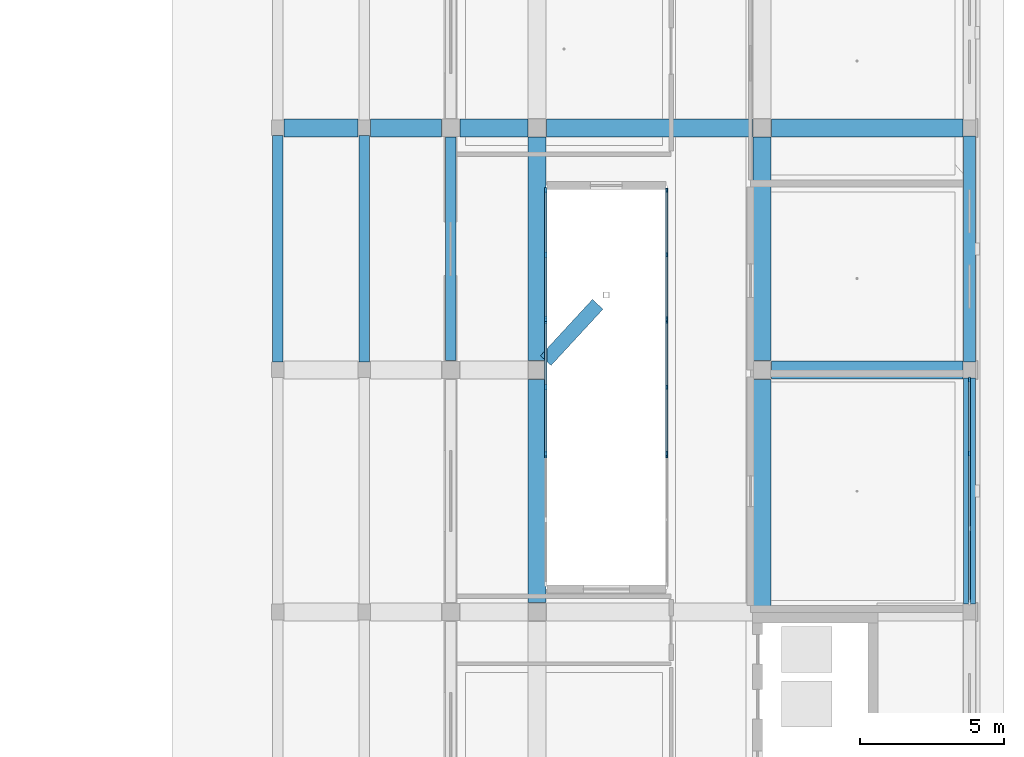
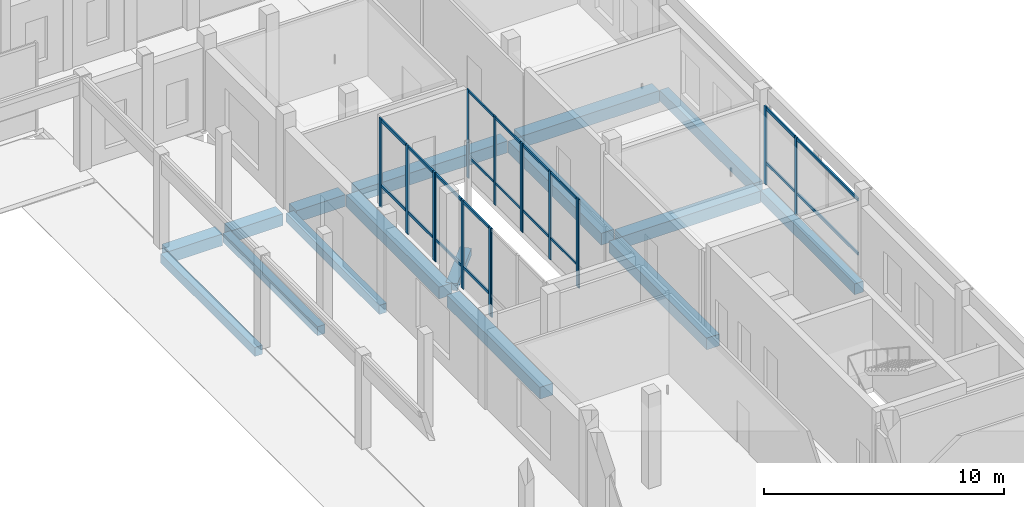
# One storey, part 36 of 88: 26 members, 16 beams, 7 elements without a shape of their own.
"""IFC4 building model written with IfcOpenShell, lengths in metres."""

from ifc_helpers import new_model, si_unit, derived_unit, direction, frame, origin, origin_2d, place, context, subcontext, project, spatial, rectangle, extrude, material, material_profile, profile_set, type_object, element, aggregate, save


model = new_model("IFC4")

# Units and contexts
model_context = context("Model", 3, precision=1e-05, world=origin(), true_north=direction((0.0, 1.0)))
body_context = subcontext(model_context, "Body", "Model", "MODEL_VIEW")
ifc_project = project(units=[si_unit("LENGTHUNIT", "METRE"), si_unit("AREAUNIT", "SQUARE_METRE"), si_unit("VOLUMEUNIT", "CUBIC_METRE"), si_unit("PLANEANGLEUNIT", "RADIAN"), si_unit("MASSUNIT", "GRAM", prefix="KILO"), derived_unit("THERMALTRANSMITTANCEUNIT", [(si_unit("POWERUNIT", "WATT"), 1), (si_unit("LENGTHUNIT", "METRE"), -2), (si_unit("THERMODYNAMICTEMPERATUREUNIT", "KELVIN"), -1)])], contexts=[model_context])

# Site, building, storey
site_placement = place(None, origin())
site = spatial("IfcSite", under=ifc_project, at=site_placement, CompositionType="ELEMENT")
building_placement = place(site_placement, origin())
building = spatial("IfcBuilding", under=site, at=building_placement, Name="Braskholm Square Health Centre", CompositionType="ELEMENT")
storey_placement = place(building_placement, origin())
storey = spatial("IfcBuildingStorey", under=building, at=storey_placement, Name="L01", CompositionType="ELEMENT", Elevation=0.0)

# Curtain wall, member
ifc_material_1 = material(Name="Low-E triple insulating glass (VLT 0.64)", Category="glass")
curtain_wall_type_1 = type_object("IfcCurtainWallType", Name="UnitisedCurtainWall4800x4400", PredefinedType="NOTDEFINED", material=ifc_material_1)
curtain_wall_1_placement = place(storey_placement, origin())
curtain_wall_1 = element("IfcCurtainWall", 1, at=curtain_wall_1_placement, inside=storey, type_object=curtain_wall_type_1, Name="EC2 Court E unitised curtain wall CW-L01-0352", PredefinedType="NOTDEFINED")
ifc_material_2 = material(Name="Architectural bronze anodised aluminium", Category="aluminium")
ifc_material_profile_1 = material_profile(ifc_material_2, rectangle(XDim=0.06494140625, YDim=0.14990234375, at=origin_2d()), Name="ALU-65X150")
ifc_profile_set_1 = profile_set([ifc_material_profile_1], Name="Architectural bronze anodised aluminium")
member_type_1 = type_object("IfcMemberType", Name="CurtainWallMullion65x150", PredefinedType="MULLION", material=ifc_profile_set_1)
member_1_placement = place(storey_placement, frame((153.300048828125, 69.23486328125, 0.0), z_axis=(0.0, 0.0, 1.0), x_axis=(1.0, 0.0, 0.0)))
member_1 = element("IfcMember", 2, at=member_1_placement, type_object=member_type_1, Name="CW-L01-0352 vertical mullion 1", PredefinedType="MULLION", context=body_context, shape_type="SweptSolid", body=[
    extrude(rectangle(XDim=0.06494140625, YDim=0.14990234375, at=origin_2d()), origin(), (0.0, 0.0, 1.0), 4.5),
])
aggregate(curtain_wall_1, [member_1])

# Curtain wall, members
curtain_wall_2_placement = place(storey_placement, origin())
curtain_wall_2 = element("IfcCurtainWall", 3, at=curtain_wall_2_placement, inside=storey, type_object=curtain_wall_type_1, Name="EC2 Court E unitised curtain wall CW-L01-0354", PredefinedType="NOTDEFINED")
member_2_placement = place(storey_placement, frame((153.300048828125, 73.900146484375, 0.0), z_axis=(0.0, 0.0, 1.0), x_axis=(1.0, 0.0, 0.0)))
member_2 = element("IfcMember", 4, at=member_2_placement, type_object=member_type_1, Name="CW-L01-0354 vertical mullion 1", PredefinedType="MULLION", context=body_context, shape_type="SweptSolid", body=[
    extrude(rectangle(XDim=0.06494140625, YDim=0.14990234375, at=origin_2d()), origin(), (0.0, 0.0, 1.0), 4.5),
])
member_3_placement = place(storey_placement, frame((153.300048828125, 71.60009765625, 0.0), z_axis=(0.0, 0.0, 1.0), x_axis=(1.0, 0.0, 0.0)))
member_3 = element("IfcMember", 5, at=member_3_placement, type_object=member_type_1, Name="CW-L01-0354 vertical mullion 2", PredefinedType="MULLION", context=body_context, shape_type="SweptSolid", body=[
    extrude(rectangle(XDim=0.06494140625, YDim=0.14990234375, at=origin_2d()), origin(), (0.0, 0.0, 1.0), 4.5),
])
member_4_placement = place(storey_placement, frame((153.300048828125, 69.2998046875, 0.0), z_axis=(0.0, 0.0, 1.0), x_axis=(1.0, 0.0, 0.0)))
member_4 = element("IfcMember", 6, at=member_4_placement, type_object=member_type_1, Name="CW-L01-0354 vertical mullion 3", PredefinedType="MULLION", context=body_context, shape_type="SweptSolid", body=[
    extrude(rectangle(XDim=0.06494140625, YDim=0.14990234375, at=origin_2d()), origin(), (0.0, 0.0, 1.0), 4.5),
])

curtain_wall_3_placement = place(storey_placement, origin())
curtain_wall_3 = element("IfcCurtainWall", 7, at=curtain_wall_3_placement, inside=storey, type_object=curtain_wall_type_1, Name="EC2 Court E unitised curtain wall CW-L01-0356", PredefinedType="NOTDEFINED")
member_5_placement = place(storey_placement, frame((153.300048828125, 78.432861328125, 0.0), z_axis=(0.0, 0.0, 1.0), x_axis=(1.0, 0.0, 0.0)))
member_5 = element("IfcMember", 8, at=member_5_placement, type_object=member_type_1, Name="CW-L01-0356 vertical mullion 1", PredefinedType="MULLION", context=body_context, shape_type="SweptSolid", body=[
    extrude(rectangle(XDim=0.06494140625, YDim=0.14990234375, at=origin_2d()), origin(), (0.0, 0.0, 1.0), 4.5),
])
member_6_placement = place(storey_placement, frame((153.300048828125, 76.198974609375, 0.0), z_axis=(0.0, 0.0, 1.0), x_axis=(1.0, 0.0, 0.0)))
member_6 = element("IfcMember", 9, at=member_6_placement, type_object=member_type_1, Name="CW-L01-0356 vertical mullion 2", PredefinedType="MULLION", context=body_context, shape_type="SweptSolid", body=[
    extrude(rectangle(XDim=0.06494140625, YDim=0.14990234375, at=origin_2d()), origin(), (0.0, 0.0, 1.0), 4.5),
])
member_7_placement = place(storey_placement, frame((153.300048828125, 73.965087890625, 0.0), z_axis=(0.0, 0.0, 1.0), x_axis=(1.0, 0.0, 0.0)))
member_7 = element("IfcMember", 10, at=member_7_placement, type_object=member_type_1, Name="CW-L01-0356 vertical mullion 3", PredefinedType="MULLION", context=body_context, shape_type="SweptSolid", body=[
    extrude(rectangle(XDim=0.06494140625, YDim=0.14990234375, at=origin_2d()), origin(), (0.0, 0.0, 1.0), 4.5),
])

curtain_wall_type_2 = type_object("IfcCurtainWallType", Name="UnitisedCurtainWall6200x4100", PredefinedType="NOTDEFINED", material=ifc_material_1)
curtain_wall_4_placement = place(storey_placement, origin())
curtain_wall_4 = element("IfcCurtainWall", 11, at=curtain_wall_4_placement, inside=storey, type_object=curtain_wall_type_2, Name="East Storefront unitised curtain wall CW-L01-0049", PredefinedType="NOTDEFINED")
ifc_material_profile_2 = material_profile(ifc_material_2, rectangle(XDim=0.074951171875, YDim=0.179931640625, at=origin_2d()), Name="ALU-75X180")
ifc_profile_set_2 = profile_set([ifc_material_profile_2], Name="Architectural bronze anodised aluminium")
member_type_2 = type_object("IfcMemberType", Name="CurtainWallMullion75x180", PredefinedType="MULLION", material=ifc_profile_set_2)
member_8_placement = place(storey_placement, frame((163.800048828125, 69.30322265625, 0.0), z_axis=(0.0, 0.0, 1.0), x_axis=(1.0, 0.0, 0.0)))
member_8 = element("IfcMember", 12, at=member_8_placement, type_object=member_type_2, Name="CW-L01-0049 vertical mullion 3", PredefinedType="MULLION", context=body_context, shape_type="SweptSolid", body=[
    extrude(rectangle(XDim=0.074951171875, YDim=0.179931640625, at=origin_2d()), origin(), (0.0, 0.0, 1.0), 3.949951171875),
])
member_9_placement = place(storey_placement, frame((163.800048828125, 71.863037109375, 0.0), z_axis=(0.0, 0.0, 1.0), x_axis=(1.0, 0.0, 0.0)))
member_9 = element("IfcMember", 13, at=member_9_placement, type_object=member_type_2, Name="CW-L01-0049 vertical mullion 4", PredefinedType="MULLION", context=body_context, shape_type="SweptSolid", body=[
    extrude(rectangle(XDim=0.074951171875, YDim=0.179931640625, at=origin_2d()), origin(), (0.0, 0.0, 1.0), 3.949951171875),
])

# Curtain wall, member
curtain_wall_5_placement = place(storey_placement, origin())
curtain_wall_5 = element("IfcCurtainWall", 14, at=curtain_wall_5_placement, inside=storey, type_object=curtain_wall_type_1, Name="EC2 Court W unitised curtain wall CW-L01-0351", PredefinedType="NOTDEFINED")
member_10_placement = place(storey_placement, frame((149.10009765625, 69.23486328125, 0.0), z_axis=(0.0, 0.0, 1.0), x_axis=(1.0, 0.0, 0.0)))
member_10 = element("IfcMember", 15, at=member_10_placement, type_object=member_type_2, Name="CW-L01-0351 vertical mullion 3", PredefinedType="MULLION", context=body_context, shape_type="SweptSolid", body=[
    extrude(rectangle(XDim=0.074951171875, YDim=0.179931640625, at=origin_2d()), origin(), (0.0, 0.0, 1.0), 4.5),
])
aggregate(curtain_wall_5, [member_10])

# Curtain wall, members
curtain_wall_6_placement = place(storey_placement, origin())
curtain_wall_6 = element("IfcCurtainWall", 16, at=curtain_wall_6_placement, inside=storey, type_object=curtain_wall_type_1, Name="EC2 Court W unitised curtain wall CW-L01-0353", PredefinedType="NOTDEFINED")
member_11_placement = place(storey_placement, frame((149.10009765625, 69.2998046875, 0.0), z_axis=(0.0, 0.0, 1.0), x_axis=(1.0, 0.0, 0.0)))
member_11 = element("IfcMember", 17, at=member_11_placement, type_object=member_type_2, Name="CW-L01-0353 vertical mullion 1", PredefinedType="MULLION", context=body_context, shape_type="SweptSolid", body=[
    extrude(rectangle(XDim=0.074951171875, YDim=0.179931640625, at=origin_2d()), origin(), (0.0, 0.0, 1.0), 4.5),
])
member_12_placement = place(storey_placement, frame((149.10009765625, 71.60009765625, 0.0), z_axis=(0.0, 0.0, 1.0), x_axis=(1.0, 0.0, 0.0)))
member_12 = element("IfcMember", 18, at=member_12_placement, type_object=member_type_2, Name="CW-L01-0353 vertical mullion 2", PredefinedType="MULLION", context=body_context, shape_type="SweptSolid", body=[
    extrude(rectangle(XDim=0.074951171875, YDim=0.179931640625, at=origin_2d()), origin(), (0.0, 0.0, 1.0), 4.5),
])
member_13_placement = place(storey_placement, frame((149.10009765625, 73.900146484375, 0.0), z_axis=(0.0, 0.0, 1.0), x_axis=(1.0, 0.0, 0.0)))
member_13 = element("IfcMember", 19, at=member_13_placement, type_object=member_type_2, Name="CW-L01-0353 vertical mullion 3", PredefinedType="MULLION", context=body_context, shape_type="SweptSolid", body=[
    extrude(rectangle(XDim=0.074951171875, YDim=0.179931640625, at=origin_2d()), origin(), (0.0, 0.0, 1.0), 4.5),
])

curtain_wall_7_placement = place(storey_placement, origin())
curtain_wall_7 = element("IfcCurtainWall", 20, at=curtain_wall_7_placement, inside=storey, type_object=curtain_wall_type_1, Name="EC2 Court W unitised curtain wall CW-L01-0355", PredefinedType="NOTDEFINED")
member_14_placement = place(storey_placement, frame((149.10009765625, 73.965087890625, 0.0), z_axis=(0.0, 0.0, 1.0), x_axis=(1.0, 0.0, 0.0)))
member_14 = element("IfcMember", 21, at=member_14_placement, type_object=member_type_2, Name="CW-L01-0355 vertical mullion 1", PredefinedType="MULLION", context=body_context, shape_type="SweptSolid", body=[
    extrude(rectangle(XDim=0.074951171875, YDim=0.179931640625, at=origin_2d()), origin(), (0.0, 0.0, 1.0), 4.5),
])
member_15_placement = place(storey_placement, frame((149.10009765625, 76.198974609375, 0.0), z_axis=(0.0, 0.0, 1.0), x_axis=(1.0, 0.0, 0.0)))
member_15 = element("IfcMember", 22, at=member_15_placement, type_object=member_type_2, Name="CW-L01-0355 vertical mullion 2", PredefinedType="MULLION", context=body_context, shape_type="SweptSolid", body=[
    extrude(rectangle(XDim=0.074951171875, YDim=0.179931640625, at=origin_2d()), origin(), (0.0, 0.0, 1.0), 4.5),
])
member_16_placement = place(storey_placement, frame((149.10009765625, 78.432861328125, 0.0), z_axis=(0.0, 0.0, 1.0), x_axis=(1.0, 0.0, 0.0)))
member_16 = element("IfcMember", 23, at=member_16_placement, type_object=member_type_2, Name="CW-L01-0355 vertical mullion 3", PredefinedType="MULLION", context=body_context, shape_type="SweptSolid", body=[
    extrude(rectangle(XDim=0.074951171875, YDim=0.179931640625, at=origin_2d()), origin(), (0.0, 0.0, 1.0), 4.5),
])

# Member
ifc_material_profile_3 = material_profile(ifc_material_2, rectangle(XDim=0.06494140625, YDim=0.1201171875, at=origin_2d()), Name="ALU-65X120")
ifc_profile_set_3 = profile_set([ifc_material_profile_3], Name="Architectural bronze anodised aluminium")
member_type_3 = type_object("IfcMemberType", Name="CurtainWallTransom65x120", PredefinedType="USERDEFINED", material=ifc_profile_set_3)
member_17_placement = place(storey_placement, frame((153.300048828125, 73.883056640625, 1.1201171875), z_axis=(0.0, -1.0, 0.0), x_axis=(1.0, 0.0, 0.0)))
member_17 = element("IfcMember", 24, at=member_17_placement, type_object=member_type_3, Name="CW-L01-0354 horizontal transom 1", ObjectType="TRANSOM", PredefinedType="USERDEFINED", context=body_context, shape_type="SweptSolid", body=[
    extrude(rectangle(XDim=0.06494140625, YDim=0.1201171875, at=origin_2d()), origin(), (0.0, 0.0, 1.0), 4.566162109375),
])

member_18_placement = place(storey_placement, frame((153.300048828125, 73.883056640625, 4.429931640625), z_axis=(0.0, -1.0, 0.0), x_axis=(1.0, 0.0, 0.0)))
member_18 = element("IfcMember", 25, at=member_18_placement, type_object=member_type_3, Name="CW-L01-0354 horizontal transom 2", ObjectType="TRANSOM", PredefinedType="USERDEFINED", context=body_context, shape_type="SweptSolid", body=[
    extrude(rectangle(XDim=0.06494140625, YDim=0.1201171875, at=origin_2d()), origin(), (0.0, 0.0, 1.0), 4.566162109375),
])

aggregate(curtain_wall_2, [member_2, member_3, member_4, member_17, member_18])

member_19_placement = place(storey_placement, frame((153.300048828125, 78.4150390625, 1.1201171875), z_axis=(0.0, -1.0, 0.0), x_axis=(1.0, 0.0, 0.0)))
member_19 = element("IfcMember", 26, at=member_19_placement, type_object=member_type_3, Name="CW-L01-0356 horizontal transom 1", ObjectType="TRANSOM", PredefinedType="USERDEFINED", context=body_context, shape_type="SweptSolid", body=[
    extrude(rectangle(XDim=0.06494140625, YDim=0.1201171875, at=origin_2d()), origin(), (0.0, 0.0, 1.0), 4.43212890625),
])

member_20_placement = place(storey_placement, frame((153.300048828125, 78.4150390625, 4.429931640625), z_axis=(0.0, -1.0, 0.0), x_axis=(1.0, 0.0, 0.0)))
member_20 = element("IfcMember", 27, at=member_20_placement, type_object=member_type_3, Name="CW-L01-0356 horizontal transom 2", ObjectType="TRANSOM", PredefinedType="USERDEFINED", context=body_context, shape_type="SweptSolid", body=[
    extrude(rectangle(XDim=0.06494140625, YDim=0.1201171875, at=origin_2d()), origin(), (0.0, 0.0, 1.0), 4.43212890625),
])

aggregate(curtain_wall_3, [member_5, member_6, member_7, member_19, member_20])

ifc_material_profile_4 = material_profile(ifc_material_2, rectangle(XDim=0.074951171875, YDim=0.139892578125, at=origin_2d()), Name="ALU-75X140")
ifc_profile_set_4 = profile_set([ifc_material_profile_4], Name="Architectural bronze anodised aluminium")
member_type_4 = type_object("IfcMemberType", Name="CurtainWallTransom75x140", PredefinedType="USERDEFINED", material=ifc_profile_set_4)
member_21_placement = place(storey_placement, frame((163.800048828125, 64.135009765625, 1.1201171875), z_axis=(0.0, 1.0, 0.0), x_axis=(-1.0, 0.0, 0.0)))
member_21 = element("IfcMember", 28, at=member_21_placement, type_object=member_type_4, Name="CW-L01-0049 horizontal transom 1", ObjectType="TRANSOM", PredefinedType="USERDEFINED", context=body_context, shape_type="SweptSolid", body=[
    extrude(rectangle(XDim=0.074951171875, YDim=0.139892578125, at=origin_2d()), origin(), (0.0, 0.0, 1.0), 7.72998046875),
])

member_22_placement = place(storey_placement, frame((163.800048828125, 64.135009765625, 3.8798828125), z_axis=(0.0, 1.0, 0.0), x_axis=(-1.0, 0.0, 0.0)))
member_22 = element("IfcMember", 29, at=member_22_placement, type_object=member_type_4, Name="CW-L01-0049 horizontal transom 2", ObjectType="TRANSOM", PredefinedType="USERDEFINED", context=body_context, shape_type="SweptSolid", body=[
    extrude(rectangle(XDim=0.074951171875, YDim=0.139892578125, at=origin_2d()), origin(), (0.0, 0.0, 1.0), 7.72998046875),
])

aggregate(curtain_wall_4, [member_8, member_9, member_21, member_22])

member_23_placement = place(storey_placement, frame((149.10009765625, 69.31689453125, 1.1201171875), z_axis=(0.0, 1.0, 0.0), x_axis=(-1.0, 0.0, 0.0)))
member_23 = element("IfcMember", 30, at=member_23_placement, type_object=member_type_4, Name="CW-L01-0353 horizontal transom 1", ObjectType="TRANSOM", PredefinedType="USERDEFINED", context=body_context, shape_type="SweptSolid", body=[
    extrude(rectangle(XDim=0.074951171875, YDim=0.139892578125, at=origin_2d()), origin(), (0.0, 0.0, 1.0), 4.566162109375),
])

member_24_placement = place(storey_placement, frame((149.10009765625, 69.31689453125, 4.429931640625), z_axis=(0.0, 1.0, 0.0), x_axis=(-1.0, 0.0, 0.0)))
member_24 = element("IfcMember", 31, at=member_24_placement, type_object=member_type_4, Name="CW-L01-0353 horizontal transom 2", ObjectType="TRANSOM", PredefinedType="USERDEFINED", context=body_context, shape_type="SweptSolid", body=[
    extrude(rectangle(XDim=0.074951171875, YDim=0.139892578125, at=origin_2d()), origin(), (0.0, 0.0, 1.0), 4.566162109375),
])

aggregate(curtain_wall_6, [member_11, member_12, member_13, member_23, member_24])

member_25_placement = place(storey_placement, frame((149.10009765625, 73.98291015625, 1.1201171875), z_axis=(0.0, 1.0, 0.0), x_axis=(-1.0, 0.0, 0.0)))
member_25 = element("IfcMember", 32, at=member_25_placement, type_object=member_type_4, Name="CW-L01-0355 horizontal transom 1", ObjectType="TRANSOM", PredefinedType="USERDEFINED", context=body_context, shape_type="SweptSolid", body=[
    extrude(rectangle(XDim=0.074951171875, YDim=0.139892578125, at=origin_2d()), origin(), (0.0, 0.0, 1.0), 4.43212890625),
])

member_26_placement = place(storey_placement, frame((149.10009765625, 73.98291015625, 4.429931640625), z_axis=(0.0, 1.0, 0.0), x_axis=(-1.0, 0.0, 0.0)))
member_26 = element("IfcMember", 33, at=member_26_placement, type_object=member_type_4, Name="CW-L01-0355 horizontal transom 2", ObjectType="TRANSOM", PredefinedType="USERDEFINED", context=body_context, shape_type="SweptSolid", body=[
    extrude(rectangle(XDim=0.074951171875, YDim=0.139892578125, at=origin_2d()), origin(), (0.0, 0.0, 1.0), 4.43212890625),
])

aggregate(curtain_wall_7, [member_14, member_15, member_16, member_25, member_26])

# Beams
ifc_material_3 = material(Name="Concrete C35/45 (f'c = 35 MPa)", Category="concrete")
ifc_material_profile_5 = material_profile(ifc_material_3, rectangle(XDim=0.5, YDim=0.360107421875, at=origin_2d()), Name="RCB-500X360")
ifc_profile_set_5 = profile_set([ifc_material_profile_5], Name="Concrete C35/45 (f'c = 35 MPa)")
beam_type_1 = type_object("IfcBeamType", Name="PrimaryBandBeam500x360", PredefinedType="BEAM", material=ifc_profile_set_5)
beam_1_placement = place(storey_placement, frame((150.9013671875, 74.4765625, -0.47998046875), z_axis=(-0.678249581985, -0.734831616452, 0.0), x_axis=(0.734831616452, -0.678249581985, 0.0)))
element("IfcBeam", 34, at=beam_1_placement, inside=storey, type_object=beam_type_1, Name="Tie beam CS3F L01", PredefinedType="BEAM", context=body_context, shape_type="SweptSolid", body=[
    extrude(rectangle(XDim=0.5, YDim=0.360107421875, at=origin_2d()), origin(), (0.0, 0.0, 1.0), 2.657958984375),
])
ifc_material_4 = material(Name="Concrete C40/50 (f'c = 40 MPa)", Category="concrete")
ifc_material_profile_6 = material_profile(ifc_material_4, rectangle(XDim=0.6201171875, YDim=0.60009765625, at=origin_2d()), Name="RCB-620X600")
ifc_profile_set_6 = profile_set([ifc_material_profile_6], Name="Concrete C40/50 (f'c = 40 MPa)")
beam_type_2 = type_object("IfcBeamType", Name="PrimarySubstructureBeam620x600", PredefinedType="BEAM", material=ifc_profile_set_6)
for number, where, z_axis, x_axis, name in (
    (35, (148.800048828125, 64.125, -0.60009765625), (0.0, 1.0, 0.0), (-1.0, 0.0, 0.0), "Beam 20/K-L L01"),
    (36, (148.800048828125, 72.52490234375, -0.60009765625), (0.0, 1.0, 0.0), (-1.0, 0.0, 0.0), "Beam 20/L-M L01"),
):
    element("IfcBeam", number, at=place(storey_placement, frame(where, z_axis=z_axis, x_axis=x_axis)), inside=storey, type_object=beam_type_2, Name=name, PredefinedType="BEAM", context=body_context, shape_type="SweptSolid", body=[
        extrude(rectangle(XDim=0.6201171875, YDim=0.60009765625, at=origin_2d()), origin(), (0.0, 0.0, 1.0), 7.75),
    ])
beam_2_placement = place(storey_placement, frame((156.60009765625, 63.75, -0.60009765625), z_axis=(0.0, 1.0, 0.0), x_axis=(-1.0, 0.0, 0.0)))
element("IfcBeam", 37, at=beam_2_placement, inside=storey, type_object=beam_type_2, Name="Beam 21/H-L L01", PredefinedType="BEAM", context=body_context, shape_type="SweptSolid", body=[
    extrude(rectangle(XDim=0.6201171875, YDim=0.60009765625, at=origin_2d()), origin(), (0.0, 0.0, 1.0), 8.125),
])
beam_3_placement = place(storey_placement, frame((156.60009765625, 72.52490234375, -0.60009765625), z_axis=(0.0, 1.0, 0.0), x_axis=(-1.0, 0.0, 0.0)))
element("IfcBeam", 38, at=beam_3_placement, inside=storey, type_object=beam_type_2, Name="Beam 21/L-M L01", PredefinedType="BEAM", context=body_context, shape_type="SweptSolid", body=[
    extrude(rectangle(XDim=0.6201171875, YDim=0.60009765625, at=origin_2d()), origin(), (0.0, 0.0, 1.0), 7.75),
])
beam_4_placement = place(storey_placement, frame((156.925048828125, 72.199951171875, -0.60009765625), z_axis=(1.0, 0.0, 0.0), x_axis=(0.0, 1.0, 0.0)))
element("IfcBeam", 39, at=beam_4_placement, inside=storey, type_object=beam_type_2, Name="Beam 21-22/L L01", PredefinedType="BEAM", context=body_context, shape_type="SweptSolid", body=[
    extrude(rectangle(XDim=0.6201171875, YDim=0.60009765625, at=origin_2d()), origin(), (0.0, 0.0, 1.0), 6.64501953125),
])
beam_5_placement = place(storey_placement, frame((140.02001953125, 80.60009765625, -0.52490234375), z_axis=(1.0, 0.0, 0.0), x_axis=(0.0, 1.0, 0.0)))
element("IfcBeam", 40, at=beam_5_placement, inside=storey, type_object=beam_type_2, Name="Beam 17-18/M L01", PredefinedType="BEAM", context=body_context, shape_type="SweptSolid", body=[
    extrude(rectangle(XDim=0.6201171875, YDim=0.60009765625, at=origin_2d()), origin(), (0.0, 0.0, 1.0), 2.56005859375),
])
beam_6_placement = place(storey_placement, frame((143.02001953125, 80.60009765625, -0.52490234375), z_axis=(1.0, 0.0, 0.0), x_axis=(0.0, 1.0, 0.0)))
element("IfcBeam", 41, at=beam_6_placement, inside=storey, type_object=beam_type_2, Name="Beam 18-19/M L01", PredefinedType="BEAM", context=body_context, shape_type="SweptSolid", body=[
    extrude(rectangle(XDim=0.6201171875, YDim=0.60009765625, at=origin_2d()), origin(), (0.0, 0.0, 1.0), 2.455078125),
])
beam_7_placement = place(storey_placement, frame((146.125, 80.60009765625, -0.60009765625), z_axis=(1.0, 0.0, 0.0), x_axis=(0.0, 1.0, 0.0)))
element("IfcBeam", 42, at=beam_7_placement, inside=storey, type_object=beam_type_2, Name="Beam 19-20/M L01", PredefinedType="BEAM", context=body_context, shape_type="SweptSolid", body=[
    extrude(rectangle(XDim=0.6201171875, YDim=0.60009765625, at=origin_2d()), origin(), (0.0, 0.0, 1.0), 2.35009765625),
])
beam_8_placement = place(storey_placement, frame((149.125, 80.60009765625, -0.60009765625), z_axis=(1.0, 0.0, 0.0), x_axis=(0.0, 1.0, 0.0)))
element("IfcBeam", 43, at=beam_8_placement, inside=storey, type_object=beam_type_2, Name="Beam 20-21/M L01", PredefinedType="BEAM", context=body_context, shape_type="SweptSolid", body=[
    extrude(rectangle(XDim=0.6201171875, YDim=0.60009765625, at=origin_2d()), origin(), (0.0, 0.0, 1.0), 7.14990234375),
])
beam_9_placement = place(storey_placement, frame((156.925048828125, 80.60009765625, -0.60009765625), z_axis=(1.0, 0.0, 0.0), x_axis=(0.0, 1.0, 0.0)))
element("IfcBeam", 44, at=beam_9_placement, inside=storey, type_object=beam_type_2, Name="Beam 21-22/M L01", PredefinedType="BEAM", context=body_context, shape_type="SweptSolid", body=[
    extrude(rectangle(XDim=0.6201171875, YDim=0.60009765625, at=origin_2d()), origin(), (0.0, 0.0, 1.0), 6.64501953125),
])
ifc_material_5 = material(Name="Precast concrete C40/50 architectural white", Category="concrete")
ifc_material_profile_7 = material_profile(ifc_material_5, rectangle(XDim=0.419921875, YDim=0.550048828125, at=origin_2d()), Name="RCB-420X550")
ifc_profile_set_7 = profile_set([ifc_material_profile_7], Name="Precast concrete C40/50 architectural white")
beam_type_3 = type_object("IfcBeamType", Name="SpandrelPrecastLedge420x550", PredefinedType="SPANDREL", material=ifc_profile_set_7)
beam_10_placement = place(storey_placement, frame((163.800048828125, 64.080078125, -0.574951171875), z_axis=(0.0, 1.0, 0.0), x_axis=(-1.0, 0.0, 0.0)))
element("IfcBeam", 45, at=beam_10_placement, inside=storey, type_object=beam_type_3, Name="Beam 22/K-L L01", PredefinedType="SPANDREL", context=body_context, shape_type="SweptSolid", body=[
    extrude(rectangle(XDim=0.419921875, YDim=0.550048828125, at=origin_2d()), origin(), (0.0, 0.0, 1.0), 7.83984375),
])
beam_11_placement = place(storey_placement, frame((163.800048828125, 72.47998046875, -0.574951171875), z_axis=(0.0, 1.0, 0.0), x_axis=(-1.0, 0.0, 0.0)))
element("IfcBeam", 46, at=beam_11_placement, inside=storey, type_object=beam_type_3, Name="Beam 22/L-M L01", PredefinedType="SPANDREL", context=body_context, shape_type="SweptSolid", body=[
    extrude(rectangle(XDim=0.419921875, YDim=0.550048828125, at=origin_2d()), origin(), (0.0, 0.0, 1.0), 7.840087890625),
])
ifc_material_profile_8 = material_profile(ifc_material_5, rectangle(XDim=0.360107421875, YDim=0.4599609375, at=origin_2d()), Name="RCB-360X460")
ifc_profile_set_8 = profile_set([ifc_material_profile_8], Name="Precast concrete C40/50 architectural white")
beam_type_4 = type_object("IfcBeamType", Name="SpandrelTerraceEdge360x460", PredefinedType="SPANDREL", material=ifc_profile_set_8)
for number, where, z_axis, x_axis, name in (
    (47, (139.800048828125, 72.469970703125, -0.455078125), (0.0, 1.0, 0.0), (-1.0, 0.0, 0.0), "Beam 17/L-M L01"),
    (48, (142.800048828125, 72.469970703125, -0.455078125), (0.0, 1.0, 0.0), (-1.0, 0.0, 0.0), "Beam 18/L-M L01"),
):
    element("IfcBeam", number, at=place(storey_placement, frame(where, z_axis=z_axis, x_axis=x_axis)), inside=storey, type_object=beam_type_4, Name=name, PredefinedType="SPANDREL", context=body_context, shape_type="SweptSolid", body=[
        extrude(rectangle(XDim=0.360107421875, YDim=0.4599609375, at=origin_2d()), origin(), (0.0, 0.0, 1.0), 7.860107421875),
    ])
beam_12_placement = place(storey_placement, frame((145.800048828125, 72.52490234375, -0.455078125), z_axis=(0.0, 1.0, 0.0), x_axis=(-1.0, 0.0, 0.0)))
element("IfcBeam", 49, at=beam_12_placement, inside=storey, type_object=beam_type_4, Name="Beam 19/L-M L01", PredefinedType="SPANDREL", context=body_context, shape_type="SweptSolid", body=[
    extrude(rectangle(XDim=0.360107421875, YDim=0.4599609375, at=origin_2d()), origin(), (0.0, 0.0, 1.0), 7.75),
])

save(model, "model.ifc")
